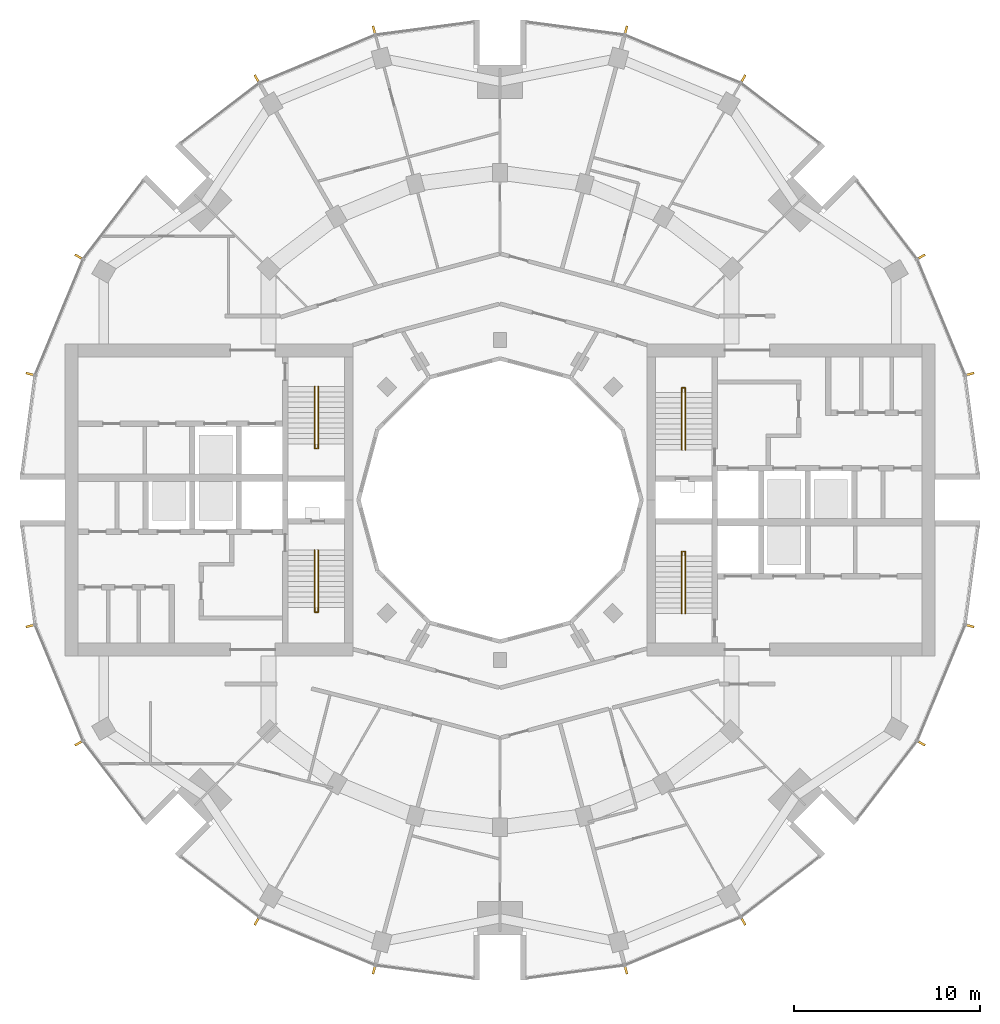
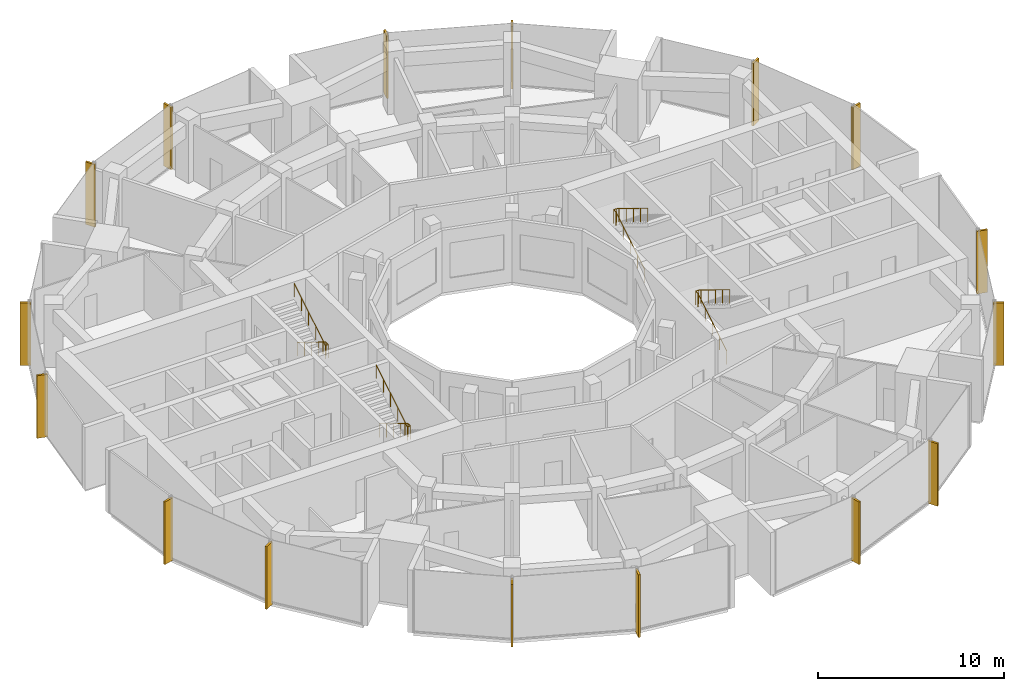
# One storey, part 14 of 15: 16 shading devices, 4 railings.
"""IFC4 building model written with IfcOpenShell, lengths in metres."""

import ifcopenshell
import ifcopenshell.guid

model = None  # the IFC model being written
_history = None  # IfcOwnerHistory: only IFC2X3 demands one
_inside = {}  # id of a spatial element -> (the spatial element, [elements in it])
_under = {}  # id of a project, library or spatial element -> (it, [spatial elements below it])
_declared = {}  # id of a project -> (the project, [libraries it declares])
_typed = {}  # id of a type object -> (the type object, [elements of that type])
_made_of = {}  # id of a material, layer set ... -> (it, [elements and type objects made of it])


def new_model(schema):
    """Start an empty IFC model of exactly this schema.

    Asked for "IFC4X3", IfcOpenShell would pick the latest addendum, in which some entities
    have other attributes; the version numbers below select the first issue.
    IFC2X3 requires an IfcOwnerHistory on every rooted entity: one is made here for all.
    """
    global model, _history
    if schema == "IFC4X3":
        model = ifcopenshell.file(schema_version=(4, 3, 0, 0))
    else:
        model = ifcopenshell.file(schema=schema)
    _inside.clear()
    _under.clear()
    _declared.clear()
    _typed.clear()
    _made_of.clear()
    _history = None
    if model.schema == "IFC2X3":
        org = make("IfcOrganization", Name="unknown")
        user = make(
            "IfcPersonAndOrganization",
            ThePerson=make("IfcPerson", FamilyName="unknown"),
            TheOrganization=org,
        )
        app = make(
            "IfcApplication",
            ApplicationDeveloper=org,
            Version="unknown",
            ApplicationFullName="unknown",
            ApplicationIdentifier="unknown",
        )
        _history = make(
            "IfcOwnerHistory",
            OwningUser=user,
            OwningApplication=app,
            ChangeAction="ADDED",
            CreationDate=0,
        )
    return model


def make(cls, **values):
    """One entity of the class cls with the attributes given. An attribute that is None is left unset."""
    return model.create_entity(
        cls, **{name: value for name, value in values.items() if value is not None}
    )


def rooted(cls, **values):
    """An entity with a GlobalId (a new one), such as an element, a storey or a relation."""
    return make(cls, GlobalId=ifcopenshell.guid.new(), OwnerHistory=_history, **values)


def si_unit(unit_type, name, prefix=None):
    """IfcSIUnit, for example si_unit("LENGTHUNIT", "METRE", prefix="MILLI")."""
    return make("IfcSIUnit", UnitType=unit_type, Prefix=prefix, Name=name)


def assignment(units):
    """IfcUnitAssignment: the units of a project."""
    return None if units is None else make("IfcUnitAssignment", Units=units)


def point(xyz):
    """IfcCartesianPoint."""
    return None if xyz is None else make("IfcCartesianPoint", Coordinates=xyz)


def direction(xyz):
    """IfcDirection."""
    return None if xyz is None else make("IfcDirection", DirectionRatios=xyz)


def frame(location, z_axis=None, x_axis=None):
    """IfcAxis2Placement3D, a coordinate frame: its origin and axes. An axis left out is left unset."""
    return make(
        "IfcAxis2Placement3D",
        Location=point(location),
        Axis=direction(z_axis),
        RefDirection=direction(x_axis),
    )


def frame_2d(location, x_axis=None):
    """IfcAxis2Placement2D, a coordinate frame in the plane: its origin and x axis."""
    return make(
        "IfcAxis2Placement2D", Location=point(location), RefDirection=direction(x_axis)
    )


def origin():
    """The frame at (0, 0, 0) with its axes left unset."""
    return frame((0.0, 0.0, 0.0))


def origin_2d():
    """The frame at (0, 0) in the plane with its x axis left unset."""
    return frame_2d((0.0, 0.0))


def place(relative_to, where):
    """IfcLocalPlacement: puts the frame where relative to a parent placement (None: the world)."""
    return make(
        "IfcLocalPlacement", PlacementRelTo=relative_to, RelativePlacement=where
    )


def context(
    kind, dimensions, precision=None, world=None, true_north=None, identifier=None
):
    """IfcGeometricRepresentationContext, for example the 3D "Model" context."""
    return make(
        "IfcGeometricRepresentationContext",
        ContextIdentifier=identifier,
        ContextType=kind,
        CoordinateSpaceDimension=dimensions,
        Precision=precision,
        WorldCoordinateSystem=world,
        TrueNorth=true_north,
    )


def subcontext(parent, identifier, kind, view, scale=None):
    """IfcGeometricRepresentationSubContext, for example "Body" below "Model"."""
    return make(
        "IfcGeometricRepresentationSubContext",
        ContextIdentifier=identifier,
        ContextType=kind,
        ParentContext=parent,
        TargetScale=scale,
        TargetView=view,
    )


def project(units=None, contexts=None):
    """IfcProject with its units and contexts."""
    return rooted(
        "IfcProject",
        Name="project",
        RepresentationContexts=contexts,
        UnitsInContext=assignment(units),
    )


def spatial(cls, under=None, at=None, **own):
    """A site, building, storey or space (cls), placed at a placement, below another one or the project."""
    s = rooted(cls, ObjectPlacement=at, **own)
    if under is not None:
        _under.setdefault(under.id(), (under, []))[1].append(s)
    return s


def profile(cls, at=None, kind="AREA", **sizes):
    """A parametric profile (cls). Its sizes go by their IFC names, for example OverallWidth=200.0."""
    return make(cls, ProfileType=kind, Position=at, **sizes)


def rectangle(**sizes):
    """IfcRectangleProfileDef."""
    return profile("IfcRectangleProfileDef", **sizes)


def circle(**sizes):
    """IfcCircleProfileDef."""
    return profile("IfcCircleProfileDef", **sizes)


def extrude(swept, where, along, depth):
    """IfcExtrudedAreaSolid: the profile swept, set in the frame where, extruded along a direction by depth."""
    return make(
        "IfcExtrudedAreaSolid",
        SweptArea=swept,
        Position=where,
        ExtrudedDirection=direction(along),
        Depth=depth,
    )


def shape(context_of_items, identifier, shape_type, items):
    """IfcShapeRepresentation: the items that make up one representation, for example the "Body"."""
    return make(
        "IfcShapeRepresentation",
        ContextOfItems=context_of_items,
        RepresentationIdentifier=identifier,
        RepresentationType=shape_type,
        Items=items,
    )


def material(Name=None, Category=None):
    """IfcMaterial."""
    return make("IfcMaterial", Name=Name, Category=Category)


def material_profile(
    of_material, cross_section, Name=None, Category=None, Priority=None
):
    """IfcMaterialProfile: a cross section and its material."""
    return make(
        "IfcMaterialProfile",
        Name=Name,
        Material=of_material,
        Profile=cross_section,
        Priority=Priority,
        Category=Category,
    )


def profile_set(profiles, Name=None, composite=None):
    """IfcMaterialProfileSet."""
    return make(
        "IfcMaterialProfileSet",
        Name=Name,
        MaterialProfiles=profiles,
        CompositeProfile=composite,
    )


def made_of(thing, what):
    """Note that an element or type object is made of a material, layer set ...; save() writes the relation."""
    if what is not None:
        _made_of.setdefault(what.id(), (what, []))[1].append(thing)
    return thing


def type_object(cls, material=None, **own):
    """A type object (cls), such as IfcWallType, which elements share."""
    return made_of(rooted(cls, **own), material)


def element(
    cls,
    number,
    at=None,
    inside=None,
    cuts=None,
    type_object=None,
    material=None,
    context=None,
    identifier="Body",
    shape_type=None,
    held_by="IfcProductDefinitionShape",
    body=None,
    shapes=None,
    **own,
):
    """One element of the class cls, such as IfcWall. Its Tag is "e" and its number.

    at: its placement. inside: the storey or other place that contains it. cuts: it is an
    opening in that element (IfcRelVoidsElement). A single representation is given by context,
    identifier, shape_type and body (its items); several are given by shapes. held_by: the class
    of the entity that holds the representations. save() writes the other relations.
    """
    e = rooted(cls, Tag="e%d" % number, ObjectPlacement=at, **own)
    if body is not None:
        shapes = [shape(context, identifier, shape_type, body)]
    if shapes is not None:
        e.Representation = make(held_by, Representations=shapes)
    if inside is not None:
        _inside.setdefault(inside.id(), (inside, []))[1].append(e)
    if cuts is not None:
        rooted(
            "IfcRelVoidsElement", RelatingBuildingElement=cuts, RelatedOpeningElement=e
        )
    if type_object is not None:
        _typed.setdefault(type_object.id(), (type_object, []))[1].append(e)
    return made_of(e, material)


def aggregate(whole, parts):
    """IfcRelAggregates: a whole, such as a stair, and the parts it consists of."""
    return rooted("IfcRelAggregates", RelatingObject=whole, RelatedObjects=parts)


def save(model, path):
    """Write the relations noted so far, then the file.

    IfcRelAggregates (storeys below a building ...), IfcRelContainedInSpatialStructure (elements
    in a storey), IfcRelDefinesByType, IfcRelAssociatesMaterial and IfcRelDeclares: one each for
    every whole, place, type object, material and project.
    """
    for whole, parts in _under.values():
        aggregate(whole, parts)
    for where, things in _inside.values():
        rooted(
            "IfcRelContainedInSpatialStructure",
            RelatedElements=things,
            RelatingStructure=where,
        )
    for kind, things in _typed.values():
        rooted("IfcRelDefinesByType", RelatedObjects=things, RelatingType=kind)
    for what, things in _made_of.values():
        rooted("IfcRelAssociatesMaterial", RelatedObjects=things, RelatingMaterial=what)
    for by, libraries in _declared.values():
        rooted("IfcRelDeclares", RelatingContext=by, RelatedDefinitions=libraries)
    model.write(path)


model = new_model("IFC4")

# Units and contexts
model_context = context("Model", 3, precision=1e-05, world=origin(), true_north=direction((0.0, 1.0)))
body_context = subcontext(model_context, "Body", "Model", "MODEL_VIEW")
ifc_project = project(units=[si_unit("LENGTHUNIT", "METRE"), si_unit("AREAUNIT", "SQUARE_METRE"), si_unit("VOLUMEUNIT", "CUBIC_METRE"), si_unit("PLANEANGLEUNIT", "RADIAN"), si_unit("MASSUNIT", "GRAM", prefix="KILO")], contexts=[model_context])

# Site, building, storey
site_placement = place(None, origin())
site = spatial("IfcSite", under=ifc_project, at=site_placement, CompositionType="ELEMENT")
building_placement = place(site_placement, origin())
building = spatial("IfcBuilding", under=site, at=building_placement, Name="Torre Brocal", CompositionType="ELEMENT")
storey_placement = place(building_placement, frame((0.0, 0.0, 178.199951171875)))
storey = spatial("IfcBuildingStorey", under=building, at=storey_placement, Name="L41", CompositionType="ELEMENT", Elevation=178.199951171875)

# Shading devices
ifc_material_1 = material(Name="Aluminium, black anodised", Category="aluminium")
ifc_material_profile = material_profile(ifc_material_1, rectangle(XDim=0.1201171875, YDim=0.60009765625, at=origin_2d()), Name="FIN 120X600 4100 HIGH")
ifc_profile_set = profile_set([ifc_material_profile], Name="Aluminium, black anodised")
shading_device_type = type_object("IfcShadingDeviceType", Name="FIN 120X600 4100 HIGH", PredefinedType="USERDEFINED", material=ifc_profile_set)
for number, where, z_axis, x_axis, name in (
    (1, (105.208984375, 81.754638671875, -0.14990234375), (0.0, 0.0, 1.0), (-0.258819045103, 0.965925826289, 0.0), "FIN"),
    (2, (102.601806640625, 88.049072265625, -0.14990234375), (0.0, 0.0, 1.0), (-0.5, 0.866025403784, 0.0), "FIN"),
    (3, (93.049072265625, 97.601806640625, -0.14990234375), (0.0, 0.0, 1.0), (-0.866025403784, 0.5, 0.0), "FIN"),
    (4, (86.754638671875, 100.208984375, -0.14990234375), (0.0, 0.0, 1.0), (-0.965925826289, 0.258819045103, 0.0), "FIN"),
    (5, (73.245361328125, 100.208984375, -0.14990234375), (0.0, 0.0, 1.0), (-0.965925826289, -0.258819045103, 0.0), "FIN"),
    (6, (66.950927734375, 97.601806640625, -0.14990234375), (0.0, 0.0, 1.0), (-0.866025403784, -0.5, 0.0), "FIN"),
    (7, (57.398193359375, 88.049072265625, -0.14990234375), (0.0, 0.0, 1.0), (-0.5, -0.866025403784, 0.0), "FIN"),
    (8, (54.791015625, 81.754638671875, -0.14990234375), (0.0, 0.0, 1.0), (-0.258819045103, -0.965925826289, 0.0), "FIN"),
    (9, (54.791015625, 68.245361328125, -0.14990234375), (0.0, 0.0, 1.0), (0.258819045103, -0.965925826289, 0.0), "FIN"),
    (10, (57.398193359375, 61.950927734375, -0.14990234375), (0.0, 0.0, 1.0), (0.5, -0.866025403784, 0.0), "FIN"),
    (11, (66.950927734375, 52.398193359375, -0.14990234375), (0.0, 0.0, 1.0), (0.866025403784, -0.5, 0.0), "FIN"),
    (12, (73.245361328125, 49.791015625, -0.14990234375), (0.0, 0.0, 1.0), (0.965925826289, -0.258819045103, 0.0), "FIN"),
    (13, (86.754638671875, 49.791015625, -0.14990234375), (0.0, 0.0, 1.0), (0.965925826289, 0.258819045103, 0.0), "FIN"),
    (14, (93.049072265625, 52.398193359375, -0.14990234375), (0.0, 0.0, 1.0), (0.866025403784, 0.5, 0.0), "FIN"),
    (15, (102.601806640625, 61.950927734375, -0.14990234375), (0.0, 0.0, 1.0), (0.5, 0.866025403784, 0.0), "FIN"),
    (16, (105.208984375, 68.245361328125, -0.14990234375), (0.0, 0.0, 1.0), (0.258819045103, 0.965925826289, 0.0), "FIN"),
):
    element("IfcShadingDevice", number, at=place(storey_placement, frame(where, z_axis=z_axis, x_axis=x_axis)), inside=storey, type_object=shading_device_type, Name=name, ObjectType="FIN", PredefinedType="USERDEFINED", context=body_context, shape_type="SweptSolid", body=[
        extrude(rectangle(XDim=0.1201171875, YDim=0.60009765625, at=origin_2d()), origin(), (0.0, 0.0, 1.0), 4.099853515625),
    ])

# Railings
ifc_material_2 = material(Name="Stainless steel AISI 316", Category="steel")
railing_type = type_object("IfcRailingType", Name="STAIR HANDRAIL", PredefinedType="HANDRAIL", material=ifc_material_2)
railing_1_placement = place(storey_placement, frame((89.780029296875, 77.699951171875, 0.1708984375)))
element("IfcRailing", 17, at=railing_1_placement, inside=storey, type_object=railing_type, Name="HANDRAIL ST1", PredefinedType="HANDRAIL", context=body_context, shape_type="SweptSolid", body=[
    extrude(circle(Radius=0.02392578125, at=origin_2d()), frame((0.0, 0.0, 0.8759765625), z_axis=(0.0, 0.853666305674, 0.52082035152), x_axis=(-1.0, 0.0, 0.0)), (0.0, 0.0, 1.0), 3.608154296875),
    extrude(circle(Radius=0.02392578125, at=origin_2d()), frame((0.0, 3.080078125, 2.7548828125), z_axis=(0.0, 1.0, 0.0), x_axis=(-1.0, 0.0, 0.0)), (0.0, 0.0, 1.0), 0.25),
    extrude(circle(Radius=0.02392578125, at=origin_2d()), frame((0.0, 3.330078125, 2.7548828125), z_axis=(1.0, 0.0, 0.0), x_axis=(0.0, 1.0, 0.0)), (0.0, 0.0, 1.0), 0.18994140625),
    extrude(circle(Radius=0.02392578125, at=origin_2d()), frame((0.18994140625, 3.330078125, 2.7548828125), z_axis=(0.0, -0.825544483742, 0.564337049433), x_axis=(1.0, 0.0, 0.0)), (0.0, 0.0, 1.0), 0.302734375),
    extrude(circle(Radius=0.02392578125, at=origin_2d()), frame((0.18994140625, 3.080078125, 2.92578125), z_axis=(0.0, -0.853666305674, 0.52082035152), x_axis=(1.0, 0.0, 0.0)), (0.0, 0.0, 1.0), 3.608154296875),
    extrude(circle(Radius=0.02099609375, at=origin_2d()), origin(), (0.0, 0.0, 1.0), 0.851806640625),
    extrude(circle(Radius=0.02099609375, at=origin_2d()), frame((0.0, 0.77001953125, 0.4697265625)), (0.0, 0.0, 1.0), 0.851806640625),
    extrude(circle(Radius=0.02099609375, at=origin_2d()), frame((0.0, 1.5400390625, 0.939453125)), (0.0, 0.0, 1.0), 0.851806640625),
    extrude(circle(Radius=0.02099609375, at=origin_2d()), frame((0.0, 2.31005859375, 1.409423828125)), (0.0, 0.0, 1.0), 0.851806640625),
    extrude(circle(Radius=0.02099609375, at=origin_2d()), frame((0.0, 3.080078125, 1.879150390625)), (0.0, 0.0, 1.0), 0.851806640625),
    extrude(circle(Radius=0.02099609375, at=origin_2d()), frame((0.0, 3.330078125, 1.879150390625)), (0.0, 0.0, 1.0), 0.851806640625),
    extrude(circle(Radius=0.02099609375, at=origin_2d()), frame((0.18994140625, 3.330078125, 1.879150390625)), (0.0, 0.0, 1.0), 0.851806640625),
    extrude(circle(Radius=0.02099609375, at=origin_2d()), frame((0.18994140625, 3.080078125, 2.050048828125)), (0.0, 0.0, 1.0), 0.851806640625),
    extrude(circle(Radius=0.02099609375, at=origin_2d()), frame((0.18994140625, 2.31005859375, 2.519775390625)), (0.0, 0.0, 1.0), 0.851806640625),
    extrude(circle(Radius=0.02099609375, at=origin_2d()), frame((0.18994140625, 1.5400390625, 2.98974609375)), (0.0, 0.0, 1.0), 0.851806640625),
    extrude(circle(Radius=0.02099609375, at=origin_2d()), frame((0.18994140625, 0.77001953125, 3.45947265625)), (0.0, 0.0, 1.0), 0.851806640625),
    extrude(circle(Radius=0.02099609375, at=origin_2d()), frame((0.18994140625, 0.0, 3.92919921875)), (0.0, 0.0, 1.0), 0.851806640625),
])
railing_2_placement = place(storey_placement, frame((89.780029296875, 68.89990234375, 0.1708984375)))
element("IfcRailing", 18, at=railing_2_placement, inside=storey, type_object=railing_type, Name="HANDRAIL ST2", PredefinedType="HANDRAIL", context=body_context, shape_type="SweptSolid", body=[
    extrude(circle(Radius=0.02392578125, at=origin_2d()), frame((0.0, 0.0, 0.8759765625), z_axis=(0.0, 0.853666305674, 0.52082035152), x_axis=(-1.0, 0.0, 0.0)), (0.0, 0.0, 1.0), 3.608154296875),
    extrude(circle(Radius=0.02392578125, at=origin_2d()), frame((0.0, 3.080078125, 2.7548828125), z_axis=(0.0, 1.0, 0.0), x_axis=(-1.0, 0.0, 0.0)), (0.0, 0.0, 1.0), 0.25),
    extrude(circle(Radius=0.02392578125, at=origin_2d()), frame((0.0, 3.330078125, 2.7548828125), z_axis=(1.0, 0.0, 0.0), x_axis=(0.0, 1.0, 0.0)), (0.0, 0.0, 1.0), 0.18994140625),
    extrude(circle(Radius=0.02392578125, at=origin_2d()), frame((0.18994140625, 3.330078125, 2.7548828125), z_axis=(0.0, -0.825544483742, 0.564337049433), x_axis=(1.0, 0.0, 0.0)), (0.0, 0.0, 1.0), 0.302734375),
    extrude(circle(Radius=0.02392578125, at=origin_2d()), frame((0.18994140625, 3.080078125, 2.92578125), z_axis=(0.0, -0.853666305674, 0.52082035152), x_axis=(1.0, 0.0, 0.0)), (0.0, 0.0, 1.0), 3.608154296875),
    extrude(circle(Radius=0.02099609375, at=origin_2d()), origin(), (0.0, 0.0, 1.0), 0.851806640625),
    extrude(circle(Radius=0.02099609375, at=origin_2d()), frame((0.0, 0.77001953125, 0.4697265625)), (0.0, 0.0, 1.0), 0.851806640625),
    extrude(circle(Radius=0.02099609375, at=origin_2d()), frame((0.0, 1.5400390625, 0.939453125)), (0.0, 0.0, 1.0), 0.851806640625),
    extrude(circle(Radius=0.02099609375, at=origin_2d()), frame((0.0, 2.31005859375, 1.409423828125)), (0.0, 0.0, 1.0), 0.851806640625),
    extrude(circle(Radius=0.02099609375, at=origin_2d()), frame((0.0, 3.080078125, 1.879150390625)), (0.0, 0.0, 1.0), 0.851806640625),
    extrude(circle(Radius=0.02099609375, at=origin_2d()), frame((0.0, 3.330078125, 1.879150390625)), (0.0, 0.0, 1.0), 0.851806640625),
    extrude(circle(Radius=0.02099609375, at=origin_2d()), frame((0.18994140625, 3.330078125, 1.879150390625)), (0.0, 0.0, 1.0), 0.851806640625),
    extrude(circle(Radius=0.02099609375, at=origin_2d()), frame((0.18994140625, 3.080078125, 2.050048828125)), (0.0, 0.0, 1.0), 0.851806640625),
    extrude(circle(Radius=0.02099609375, at=origin_2d()), frame((0.18994140625, 2.31005859375, 2.519775390625)), (0.0, 0.0, 1.0), 0.851806640625),
    extrude(circle(Radius=0.02099609375, at=origin_2d()), frame((0.18994140625, 1.5400390625, 2.98974609375)), (0.0, 0.0, 1.0), 0.851806640625),
    extrude(circle(Radius=0.02099609375, at=origin_2d()), frame((0.18994140625, 0.77001953125, 3.45947265625)), (0.0, 0.0, 1.0), 0.851806640625),
    extrude(circle(Radius=0.02099609375, at=origin_2d()), frame((0.18994140625, 0.0, 3.92919921875)), (0.0, 0.0, 1.0), 0.851806640625),
])
railing_3_placement = place(storey_placement, frame((70.219970703125, 72.300048828125, 0.1708984375)))
element("IfcRailing", 19, at=railing_3_placement, inside=storey, type_object=railing_type, Name="HANDRAIL ST3", PredefinedType="HANDRAIL", context=body_context, shape_type="SweptSolid", body=[
    extrude(circle(Radius=0.02392578125, at=origin_2d()), frame((0.0, 0.0, 0.8759765625), z_axis=(0.0, -0.853666305674, 0.52082035152), x_axis=(1.0, 0.0, 0.0)), (0.0, 0.0, 1.0), 3.608154296875),
    extrude(circle(Radius=0.02392578125, at=origin_2d()), frame((0.0, -3.080078125, 2.7548828125), z_axis=(0.0, -1.0, 0.0), x_axis=(1.0, 0.0, 0.0)), (0.0, 0.0, 1.0), 0.25),
    extrude(circle(Radius=0.02392578125, at=origin_2d()), frame((0.0, -3.330078125, 2.7548828125), z_axis=(-1.0, 0.0, 0.0), x_axis=(0.0, -1.0, 0.0)), (0.0, 0.0, 1.0), 0.18994140625),
    extrude(circle(Radius=0.02392578125, at=origin_2d()), frame((-0.18994140625, -3.330078125, 2.7548828125), z_axis=(0.0, 0.825544483742, 0.564337049433), x_axis=(-1.0, 0.0, 0.0)), (0.0, 0.0, 1.0), 0.302734375),
    extrude(circle(Radius=0.02392578125, at=origin_2d()), frame((-0.18994140625, -3.080078125, 2.92578125), z_axis=(0.0, 0.853666305674, 0.52082035152), x_axis=(-1.0, 0.0, 0.0)), (0.0, 0.0, 1.0), 3.608154296875),
    extrude(circle(Radius=0.02099609375, at=origin_2d()), origin(), (0.0, 0.0, 1.0), 0.851806640625),
    extrude(circle(Radius=0.02099609375, at=origin_2d()), frame((0.0, -0.77001953125, 0.4697265625)), (0.0, 0.0, 1.0), 0.851806640625),
    extrude(circle(Radius=0.02099609375, at=origin_2d()), frame((0.0, -1.5400390625, 0.939453125)), (0.0, 0.0, 1.0), 0.851806640625),
    extrude(circle(Radius=0.02099609375, at=origin_2d()), frame((0.0, -2.31005859375, 1.409423828125)), (0.0, 0.0, 1.0), 0.851806640625),
    extrude(circle(Radius=0.02099609375, at=origin_2d()), frame((0.0, -3.080078125, 1.879150390625)), (0.0, 0.0, 1.0), 0.851806640625),
    extrude(circle(Radius=0.02099609375, at=origin_2d()), frame((0.0, -3.330078125, 1.879150390625)), (0.0, 0.0, 1.0), 0.851806640625),
    extrude(circle(Radius=0.02099609375, at=origin_2d()), frame((-0.18994140625, -3.330078125, 1.879150390625)), (0.0, 0.0, 1.0), 0.851806640625),
    extrude(circle(Radius=0.02099609375, at=origin_2d()), frame((-0.18994140625, -3.080078125, 2.050048828125)), (0.0, 0.0, 1.0), 0.851806640625),
    extrude(circle(Radius=0.02099609375, at=origin_2d()), frame((-0.18994140625, -2.31005859375, 2.519775390625)), (0.0, 0.0, 1.0), 0.851806640625),
    extrude(circle(Radius=0.02099609375, at=origin_2d()), frame((-0.18994140625, -1.5400390625, 2.98974609375)), (0.0, 0.0, 1.0), 0.851806640625),
    extrude(circle(Radius=0.02099609375, at=origin_2d()), frame((-0.18994140625, -0.77001953125, 3.45947265625)), (0.0, 0.0, 1.0), 0.851806640625),
    extrude(circle(Radius=0.02099609375, at=origin_2d()), frame((-0.18994140625, 0.0, 3.92919921875)), (0.0, 0.0, 1.0), 0.851806640625),
])
railing_4_placement = place(storey_placement, frame((70.219970703125, 81.10009765625, 0.1708984375)))
element("IfcRailing", 20, at=railing_4_placement, inside=storey, type_object=railing_type, Name="HANDRAIL ST4", PredefinedType="HANDRAIL", context=body_context, shape_type="SweptSolid", body=[
    extrude(circle(Radius=0.02392578125, at=origin_2d()), frame((0.0, 0.0, 0.8759765625), z_axis=(0.0, -0.853666305674, 0.52082035152), x_axis=(1.0, 0.0, 0.0)), (0.0, 0.0, 1.0), 3.608154296875),
    extrude(circle(Radius=0.02392578125, at=origin_2d()), frame((0.0, -3.080078125, 2.7548828125), z_axis=(0.0, -1.0, 0.0), x_axis=(1.0, 0.0, 0.0)), (0.0, 0.0, 1.0), 0.25),
    extrude(circle(Radius=0.02392578125, at=origin_2d()), frame((0.0, -3.330078125, 2.7548828125), z_axis=(-1.0, 0.0, 0.0), x_axis=(0.0, -1.0, 0.0)), (0.0, 0.0, 1.0), 0.18994140625),
    extrude(circle(Radius=0.02392578125, at=origin_2d()), frame((-0.18994140625, -3.330078125, 2.7548828125), z_axis=(0.0, 0.825544483742, 0.564337049433), x_axis=(-1.0, 0.0, 0.0)), (0.0, 0.0, 1.0), 0.302734375),
    extrude(circle(Radius=0.02392578125, at=origin_2d()), frame((-0.18994140625, -3.080078125, 2.92578125), z_axis=(0.0, 0.853666305674, 0.52082035152), x_axis=(-1.0, 0.0, 0.0)), (0.0, 0.0, 1.0), 3.608154296875),
    extrude(circle(Radius=0.02099609375, at=origin_2d()), origin(), (0.0, 0.0, 1.0), 0.851806640625),
    extrude(circle(Radius=0.02099609375, at=origin_2d()), frame((0.0, -0.77001953125, 0.4697265625)), (0.0, 0.0, 1.0), 0.851806640625),
    extrude(circle(Radius=0.02099609375, at=origin_2d()), frame((0.0, -1.5400390625, 0.939453125)), (0.0, 0.0, 1.0), 0.851806640625),
    extrude(circle(Radius=0.02099609375, at=origin_2d()), frame((0.0, -2.31005859375, 1.409423828125)), (0.0, 0.0, 1.0), 0.851806640625),
    extrude(circle(Radius=0.02099609375, at=origin_2d()), frame((0.0, -3.080078125, 1.879150390625)), (0.0, 0.0, 1.0), 0.851806640625),
    extrude(circle(Radius=0.02099609375, at=origin_2d()), frame((0.0, -3.330078125, 1.879150390625)), (0.0, 0.0, 1.0), 0.851806640625),
    extrude(circle(Radius=0.02099609375, at=origin_2d()), frame((-0.18994140625, -3.330078125, 1.879150390625)), (0.0, 0.0, 1.0), 0.851806640625),
    extrude(circle(Radius=0.02099609375, at=origin_2d()), frame((-0.18994140625, -3.080078125, 2.050048828125)), (0.0, 0.0, 1.0), 0.851806640625),
    extrude(circle(Radius=0.02099609375, at=origin_2d()), frame((-0.18994140625, -2.31005859375, 2.519775390625)), (0.0, 0.0, 1.0), 0.851806640625),
    extrude(circle(Radius=0.02099609375, at=origin_2d()), frame((-0.18994140625, -1.5400390625, 2.98974609375)), (0.0, 0.0, 1.0), 0.851806640625),
    extrude(circle(Radius=0.02099609375, at=origin_2d()), frame((-0.18994140625, -0.77001953125, 3.45947265625)), (0.0, 0.0, 1.0), 0.851806640625),
    extrude(circle(Radius=0.02099609375, at=origin_2d()), frame((-0.18994140625, 0.0, 3.92919921875)), (0.0, 0.0, 1.0), 0.851806640625),
])

save(model, "model.ifc")
